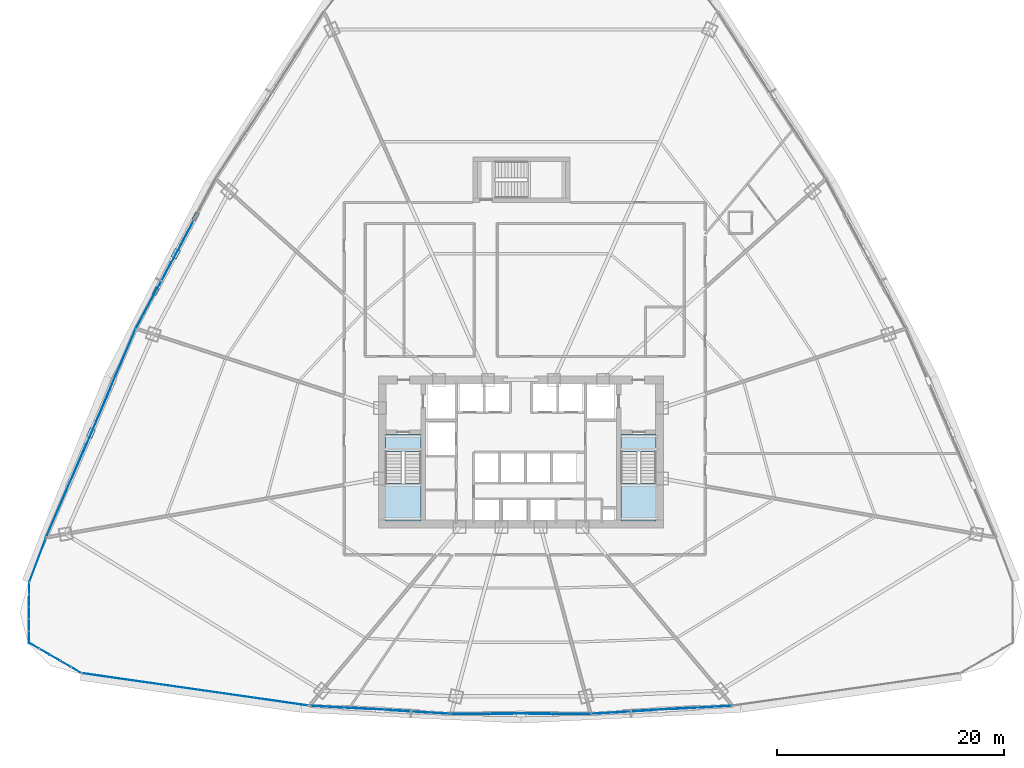
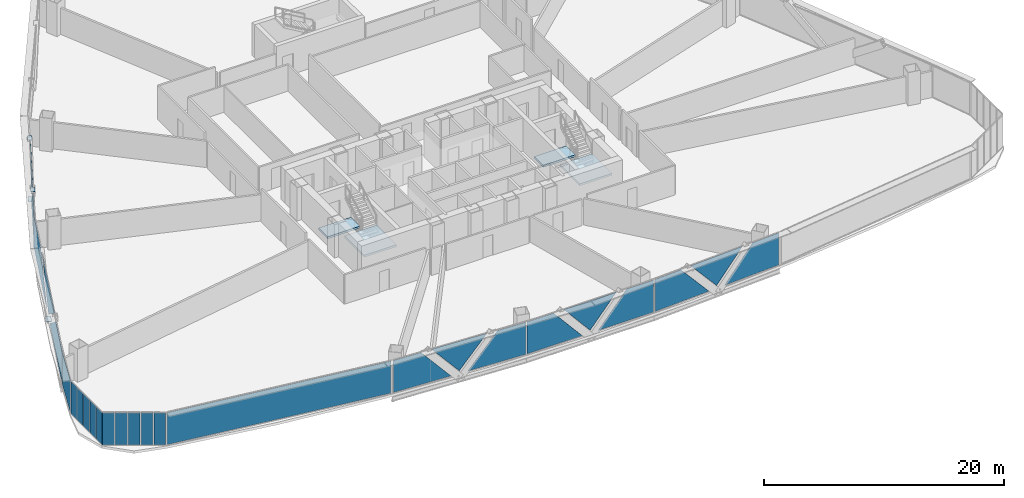
# One storey, part 31 of 42: 30 plates, 4 slabs, 11 elements without a shape of their own.
"""IFC4 building model written with IfcOpenShell, lengths in metres."""

import ifcopenshell
import ifcopenshell.guid

model = None  # the IFC model being written
_history = None  # IfcOwnerHistory: only IFC2X3 demands one
_inside = {}  # id of a spatial element -> (the spatial element, [elements in it])
_under = {}  # id of a project, library or spatial element -> (it, [spatial elements below it])
_declared = {}  # id of a project -> (the project, [libraries it declares])
_typed = {}  # id of a type object -> (the type object, [elements of that type])
_made_of = {}  # id of a material, layer set ... -> (it, [elements and type objects made of it])


def new_model(schema):
    """Start an empty IFC model of exactly this schema.

    Asked for "IFC4X3", IfcOpenShell would pick the latest addendum, in which some entities
    have other attributes; the version numbers below select the first issue.
    IFC2X3 requires an IfcOwnerHistory on every rooted entity: one is made here for all.
    """
    global model, _history
    if schema == "IFC4X3":
        model = ifcopenshell.file(schema_version=(4, 3, 0, 0))
    else:
        model = ifcopenshell.file(schema=schema)
    _inside.clear()
    _under.clear()
    _declared.clear()
    _typed.clear()
    _made_of.clear()
    _history = None
    if model.schema == "IFC2X3":
        org = make("IfcOrganization", Name="unknown")
        user = make(
            "IfcPersonAndOrganization",
            ThePerson=make("IfcPerson", FamilyName="unknown"),
            TheOrganization=org,
        )
        app = make(
            "IfcApplication",
            ApplicationDeveloper=org,
            Version="unknown",
            ApplicationFullName="unknown",
            ApplicationIdentifier="unknown",
        )
        _history = make(
            "IfcOwnerHistory",
            OwningUser=user,
            OwningApplication=app,
            ChangeAction="ADDED",
            CreationDate=0,
        )
    return model


def make(cls, **values):
    """One entity of the class cls with the attributes given. An attribute that is None is left unset."""
    return model.create_entity(
        cls, **{name: value for name, value in values.items() if value is not None}
    )


def rooted(cls, **values):
    """An entity with a GlobalId (a new one), such as an element, a storey or a relation."""
    return make(cls, GlobalId=ifcopenshell.guid.new(), OwnerHistory=_history, **values)


def si_unit(unit_type, name, prefix=None):
    """IfcSIUnit, for example si_unit("LENGTHUNIT", "METRE", prefix="MILLI")."""
    return make("IfcSIUnit", UnitType=unit_type, Prefix=prefix, Name=name)


def assignment(units):
    """IfcUnitAssignment: the units of a project."""
    return None if units is None else make("IfcUnitAssignment", Units=units)


def point(xyz):
    """IfcCartesianPoint."""
    return None if xyz is None else make("IfcCartesianPoint", Coordinates=xyz)


def direction(xyz):
    """IfcDirection."""
    return None if xyz is None else make("IfcDirection", DirectionRatios=xyz)


def frame(location, z_axis=None, x_axis=None):
    """IfcAxis2Placement3D, a coordinate frame: its origin and axes. An axis left out is left unset."""
    return make(
        "IfcAxis2Placement3D",
        Location=point(location),
        Axis=direction(z_axis),
        RefDirection=direction(x_axis),
    )


def frame_2d(location, x_axis=None):
    """IfcAxis2Placement2D, a coordinate frame in the plane: its origin and x axis."""
    return make(
        "IfcAxis2Placement2D", Location=point(location), RefDirection=direction(x_axis)
    )


def origin():
    """The frame at (0, 0, 0) with its axes left unset."""
    return frame((0.0, 0.0, 0.0))


def origin_2d():
    """The frame at (0, 0) in the plane with its x axis left unset."""
    return frame_2d((0.0, 0.0))


def place(relative_to, where):
    """IfcLocalPlacement: puts the frame where relative to a parent placement (None: the world)."""
    return make(
        "IfcLocalPlacement", PlacementRelTo=relative_to, RelativePlacement=where
    )


def context(
    kind, dimensions, precision=None, world=None, true_north=None, identifier=None
):
    """IfcGeometricRepresentationContext, for example the 3D "Model" context."""
    return make(
        "IfcGeometricRepresentationContext",
        ContextIdentifier=identifier,
        ContextType=kind,
        CoordinateSpaceDimension=dimensions,
        Precision=precision,
        WorldCoordinateSystem=world,
        TrueNorth=true_north,
    )


def subcontext(parent, identifier, kind, view, scale=None):
    """IfcGeometricRepresentationSubContext, for example "Body" below "Model"."""
    return make(
        "IfcGeometricRepresentationSubContext",
        ContextIdentifier=identifier,
        ContextType=kind,
        ParentContext=parent,
        TargetScale=scale,
        TargetView=view,
    )


def project(units=None, contexts=None):
    """IfcProject with its units and contexts."""
    return rooted(
        "IfcProject",
        Name="project",
        RepresentationContexts=contexts,
        UnitsInContext=assignment(units),
    )


def spatial(cls, under=None, at=None, **own):
    """A site, building, storey or space (cls), placed at a placement, below another one or the project."""
    s = rooted(cls, ObjectPlacement=at, **own)
    if under is not None:
        _under.setdefault(under.id(), (under, []))[1].append(s)
    return s


def polyline(points):
    """IfcPolyline through the points."""
    return make("IfcPolyline", Points=[point(p) for p in points])


def profile(cls, at=None, kind="AREA", **sizes):
    """A parametric profile (cls). Its sizes go by their IFC names, for example OverallWidth=200.0."""
    return make(cls, ProfileType=kind, Position=at, **sizes)


def rectangle(**sizes):
    """IfcRectangleProfileDef."""
    return profile("IfcRectangleProfileDef", **sizes)


def outline(outer, holes=None, kind="AREA"):
    """IfcArbitraryClosedProfileDef: a profile drawn as a closed curve; with holes, ...WithVoids."""
    if holes is None:
        return make("IfcArbitraryClosedProfileDef", ProfileType=kind, OuterCurve=outer)
    return make(
        "IfcArbitraryProfileDefWithVoids",
        ProfileType=kind,
        OuterCurve=outer,
        InnerCurves=holes,
    )


def extrude(swept, where, along, depth):
    """IfcExtrudedAreaSolid: the profile swept, set in the frame where, extruded along a direction by depth."""
    return make(
        "IfcExtrudedAreaSolid",
        SweptArea=swept,
        Position=where,
        ExtrudedDirection=direction(along),
        Depth=depth,
    )


def shape(context_of_items, identifier, shape_type, items):
    """IfcShapeRepresentation: the items that make up one representation, for example the "Body"."""
    return make(
        "IfcShapeRepresentation",
        ContextOfItems=context_of_items,
        RepresentationIdentifier=identifier,
        RepresentationType=shape_type,
        Items=items,
    )


def source(mapping_origin, context_of_items, identifier, shape_type, items):
    """IfcRepresentationMap: a shape defined once, which mapped items show again and again."""
    return make(
        "IfcRepresentationMap",
        MappingOrigin=mapping_origin,
        MappedRepresentation=shape(context_of_items, identifier, shape_type, items),
    )


def transform(
    local_origin,
    x_axis=None,
    y_axis=None,
    z_axis=None,
    scale=None,
    scale2=None,
    scale3=None,
    uniform=True,
):
    """IfcCartesianTransformationOperator3D, or its non-uniform kind. x_axis, y_axis, z_axis: its Axis1, 2, 3."""
    if uniform:
        return make(
            "IfcCartesianTransformationOperator3D",
            Axis1=direction(x_axis),
            Axis2=direction(y_axis),
            LocalOrigin=point(local_origin),
            Scale=scale,
            Axis3=direction(z_axis),
        )
    return make(
        "IfcCartesianTransformationOperator3DnonUniform",
        Axis1=direction(x_axis),
        Axis2=direction(y_axis),
        LocalOrigin=point(local_origin),
        Scale=scale,
        Axis3=direction(z_axis),
        Scale2=scale2,
        Scale3=scale3,
    )


def mapped(mapping_source, mapping_target):
    """IfcMappedItem: shows the shape of a source again, moved by a transform."""
    return make(
        "IfcMappedItem", MappingSource=mapping_source, MappingTarget=mapping_target
    )


def material(Name=None, Category=None):
    """IfcMaterial."""
    return make("IfcMaterial", Name=Name, Category=Category)


def layer(
    of_material, thickness, ventilated=None, Name=None, Category=None, Priority=None
):
    """IfcMaterialLayer: one layer of a wall or slab, of a material (None: an air gap)."""
    return make(
        "IfcMaterialLayer",
        Material=of_material,
        LayerThickness=thickness,
        IsVentilated=ventilated,
        Name=Name,
        Category=Category,
        Priority=Priority,
    )


def layer_set(layers, Name=None):
    """IfcMaterialLayerSet."""
    return make("IfcMaterialLayerSet", MaterialLayers=layers, LayerSetName=Name)


def made_of(thing, what):
    """Note that an element or type object is made of a material, layer set ...; save() writes the relation."""
    if what is not None:
        _made_of.setdefault(what.id(), (what, []))[1].append(thing)
    return thing


def type_object(cls, material=None, **own):
    """A type object (cls), such as IfcWallType, which elements share."""
    return made_of(rooted(cls, **own), material)


def element(
    cls,
    number,
    at=None,
    inside=None,
    cuts=None,
    type_object=None,
    material=None,
    context=None,
    identifier="Body",
    shape_type=None,
    held_by="IfcProductDefinitionShape",
    body=None,
    shapes=None,
    **own,
):
    """One element of the class cls, such as IfcWall. Its Tag is "e" and its number.

    at: its placement. inside: the storey or other place that contains it. cuts: it is an
    opening in that element (IfcRelVoidsElement). A single representation is given by context,
    identifier, shape_type and body (its items); several are given by shapes. held_by: the class
    of the entity that holds the representations. save() writes the other relations.
    """
    e = rooted(cls, Tag="e%d" % number, ObjectPlacement=at, **own)
    if body is not None:
        shapes = [shape(context, identifier, shape_type, body)]
    if shapes is not None:
        e.Representation = make(held_by, Representations=shapes)
    if inside is not None:
        _inside.setdefault(inside.id(), (inside, []))[1].append(e)
    if cuts is not None:
        rooted(
            "IfcRelVoidsElement", RelatingBuildingElement=cuts, RelatedOpeningElement=e
        )
    if type_object is not None:
        _typed.setdefault(type_object.id(), (type_object, []))[1].append(e)
    return made_of(e, material)


def aggregate(whole, parts):
    """IfcRelAggregates: a whole, such as a stair, and the parts it consists of."""
    return rooted("IfcRelAggregates", RelatingObject=whole, RelatedObjects=parts)


def save(model, path):
    """Write the relations noted so far, then the file.

    IfcRelAggregates (storeys below a building ...), IfcRelContainedInSpatialStructure (elements
    in a storey), IfcRelDefinesByType, IfcRelAssociatesMaterial and IfcRelDeclares: one each for
    every whole, place, type object, material and project.
    """
    for whole, parts in _under.values():
        aggregate(whole, parts)
    for where, things in _inside.values():
        rooted(
            "IfcRelContainedInSpatialStructure",
            RelatedElements=things,
            RelatingStructure=where,
        )
    for kind, things in _typed.values():
        rooted("IfcRelDefinesByType", RelatedObjects=things, RelatingType=kind)
    for what, things in _made_of.values():
        rooted("IfcRelAssociatesMaterial", RelatedObjects=things, RelatingMaterial=what)
    for by, libraries in _declared.values():
        rooted("IfcRelDeclares", RelatingContext=by, RelatedDefinitions=libraries)
    model.write(path)


model = new_model("IFC4")

# Units and contexts
model_context = context("Model", 3, precision=1e-05, world=origin(), true_north=direction((0.0, 1.0)))
body_context = subcontext(model_context, "Body", "Model", "MODEL_VIEW")
ifc_project = project(units=[si_unit("LENGTHUNIT", "METRE"), si_unit("AREAUNIT", "SQUARE_METRE"), si_unit("VOLUMEUNIT", "CUBIC_METRE"), si_unit("PLANEANGLEUNIT", "RADIAN"), si_unit("MASSUNIT", "GRAM", prefix="KILO"), si_unit("THERMODYNAMICTEMPERATUREUNIT", "KELVIN"), si_unit("POWERUNIT", "WATT")], contexts=[model_context])

# Site, building, storey
site_placement = place(None, origin())
site = spatial("IfcSite", under=ifc_project, at=site_placement, CompositionType="ELEMENT")
building_placement = place(site_placement, origin())
building = spatial("IfcBuilding", under=site, at=building_placement, Name="Yunzhuo Pagoda Commons", CompositionType="ELEMENT")
storey_placement = place(building_placement, frame((0.0, 0.0, 41.2900390625)))
storey = spatial("IfcBuildingStorey", under=building, at=storey_placement, Name="L10", CompositionType="ELEMENT", Elevation=41.2900390625)

# Curtain wall, plates
ifc_material_1 = material(Name="Anodized aluminium 6063-T6", Category="aluminium")
ifc_layer_1 = layer(ifc_material_1, 0.1650390625)
ifc_layer_set_1 = layer_set([ifc_layer_1], Name="Anodized aluminium 6063-T6")
curtain_wall_type_1 = type_object("IfcCurtainWallType", Name="CW-LOW Low-Zone Ribbon Curtain Wall", PredefinedType="NOTDEFINED", material=ifc_layer_set_1)
curtain_wall_1_placement = place(storey_placement, origin())
curtain_wall_1 = element("IfcCurtainWall", 1, at=curtain_wall_1_placement, inside=storey, type_object=curtain_wall_type_1, Name="L10 curtain wall CW-L10-F1B2", PredefinedType="NOTDEFINED")
ifc_material_2 = material(Name="Tempered low-e double glazing", Category="glass")
ifc_layer_2 = layer(ifc_material_2, 0.028076171875)
ifc_layer_set_2 = layer_set([ifc_layer_2], Name="Tempered low-e double glazing")
plate_type_1 = type_object("IfcPlateType", Name="CW-LOW-P Low-E Double Glazing 28", PredefinedType="CURTAIN_PANEL", material=ifc_layer_set_2)
plate_1_placement = place(storey_placement, frame((32.162109375, 11.386962890625, 1.68505859375), z_axis=(-0.057790687505, -0.998328721633, 0.0), x_axis=(0.998328721633, -0.057790687505, 0.0)))
plate_1 = element("IfcPlate", 2, at=plate_1_placement, type_object=plate_type_1, Name="CW panel 1.1 lite 1", PredefinedType="CURTAIN_PANEL", context=body_context, shape_type="SweptSolid", body=[
    extrude(outline(polyline([(-2.701416015625, -1.625), (2.701416015625, -1.625), (-0.093994140625, 1.625), (-2.701416015625, 1.625), (-2.701416015625, -1.625)])), origin(), (0.0, 0.0, 1.0), 0.028076171875),
])
plate_2_placement = place(storey_placement, frame((35.6357421875, 11.216064453125, 1.81640625), z_axis=(-0.057790687505, -0.998328721633, 0.0), x_axis=(0.998328721633, -0.057790687505, 0.0)))
plate_2 = element("IfcPlate", 3, at=plate_2_placement, type_object=plate_type_1, Name="CW panel 1.1 lite 2", PredefinedType="CURTAIN_PANEL", context=body_context, shape_type="SweptSolid", body=[
    extrude(outline(polyline([(-2.5693359375, 1.49365234375), (0.0, -1.49365234375), (2.5693359375, 1.49365234375), (-2.5693359375, 1.49365234375)])), origin(), (0.0, 0.0, 1.0), 0.028076171875),
])
plate_3_placement = place(storey_placement, frame((39.10595703125, 10.985107421875, 1.68505859375), z_axis=(-0.057790687505, -0.998328721633, 0.0), x_axis=(0.998328721633, -0.057790687505, 0.0)))
plate_3 = element("IfcPlate", 4, at=plate_3_placement, type_object=plate_type_1, Name="CW panel 1.1 lite 3", PredefinedType="CURTAIN_PANEL", context=body_context, shape_type="SweptSolid", body=[
    extrude(outline(polyline([(-2.701416015625, -1.625), (2.701416015625, -1.625), (2.701416015625, 1.625), (0.093994140625, 1.625), (-2.701416015625, -1.625)])), origin(), (0.0, 0.0, 1.0), 0.028076171875),
])
aggregate(curtain_wall_1, [plate_1, plate_2, plate_3])

curtain_wall_2_placement = place(storey_placement, origin())
curtain_wall_2 = element("IfcCurtainWall", 5, at=curtain_wall_2_placement, inside=storey, type_object=curtain_wall_type_1, Name="L10 curtain wall CW-L10-F1B3", PredefinedType="NOTDEFINED")
plate_4_placement = place(storey_placement, frame((44.58203125, 10.8251953125, 1.68505859375), z_axis=(0.0, -1.0, 0.0), x_axis=(1.0, 0.0, 0.0)))
plate_4 = element("IfcPlate", 6, at=plate_4_placement, type_object=plate_type_1, Name="CW panel 1.1 lite 1", PredefinedType="CURTAIN_PANEL", context=body_context, shape_type="SweptSolid", body=[
    extrude(outline(polyline([(-2.650146484375, -1.625), (2.650146484375, -1.625), (-0.095458984375, 1.625), (-2.650146484375, 1.625), (-2.650146484375, -1.625)])), origin(), (0.0, 0.0, 1.0), 0.028076171875),
])
plate_5_placement = place(storey_placement, frame((48.0, 10.85546875, 1.8193359375), z_axis=(0.0, -1.0, 0.0), x_axis=(1.0, 0.0, 0.0)))
plate_5 = element("IfcPlate", 7, at=plate_5_placement, type_object=plate_type_1, Name="CW panel 1.1 lite 2", PredefinedType="CURTAIN_PANEL", context=body_context, shape_type="SweptSolid", body=[
    extrude(outline(polyline([(-2.518310546875, 1.490478515625), (0.0, -1.490478515625), (2.518310546875, 1.490478515625), (-2.518310546875, 1.490478515625)])), origin(), (0.0, 0.0, 1.0), 0.028076171875),
])
plate_6_placement = place(storey_placement, frame((51.41796875, 10.8251953125, 1.68505859375), z_axis=(0.0, -1.0, 0.0), x_axis=(1.0, 0.0, 0.0)))
plate_6 = element("IfcPlate", 8, at=plate_6_placement, type_object=plate_type_1, Name="CW panel 1.1 lite 3", PredefinedType="CURTAIN_PANEL", context=body_context, shape_type="SweptSolid", body=[
    extrude(outline(polyline([(-2.650146484375, -1.625), (2.650146484375, -1.625), (2.650146484375, 1.625), (0.095458984375, 1.625), (-2.650146484375, -1.625)])), origin(), (0.0, 0.0, 1.0), 0.028076171875),
])
aggregate(curtain_wall_2, [plate_4, plate_5, plate_6])

curtain_wall_3_placement = place(storey_placement, origin())
curtain_wall_3 = element("IfcCurtainWall", 9, at=curtain_wall_3_placement, inside=storey, type_object=curtain_wall_type_1, Name="L10 curtain wall CW-L10-F1B4", PredefinedType="NOTDEFINED")
plate_7_placement = place(storey_placement, frame((56.89404296875, 10.985107421875, 1.68505859375), z_axis=(0.057790687505, -0.998328721633, 0.0), x_axis=(0.998328721633, 0.057790687505, 0.0)))
plate_7 = element("IfcPlate", 10, at=plate_7_placement, type_object=plate_type_1, Name="CW panel 1.1 lite 1", PredefinedType="CURTAIN_PANEL", context=body_context, shape_type="SweptSolid", body=[
    extrude(outline(polyline([(-2.701416015625, -1.625), (2.701416015625, -1.625), (-0.093994140625, 1.625), (-2.701416015625, 1.625), (-2.701416015625, -1.625)])), origin(), (0.0, 0.0, 1.0), 0.028076171875),
])
plate_8_placement = place(storey_placement, frame((60.3642578125, 11.216064453125, 1.81640625), z_axis=(0.057790687505, -0.998328721633, 0.0), x_axis=(0.998328721633, 0.057790687505, 0.0)))
plate_8 = element("IfcPlate", 11, at=plate_8_placement, type_object=plate_type_1, Name="CW panel 1.1 lite 2", PredefinedType="CURTAIN_PANEL", context=body_context, shape_type="SweptSolid", body=[
    extrude(outline(polyline([(-2.5693359375, 1.49365234375), (0.0, -1.49365234375), (2.5693359375, 1.49365234375), (-2.5693359375, 1.49365234375)])), origin(), (0.0, 0.0, 1.0), 0.028076171875),
])
plate_9_placement = place(storey_placement, frame((63.837890625, 11.386962890625, 1.68505859375), z_axis=(0.057790687505, -0.998328721633, 0.0), x_axis=(0.998328721633, 0.057790687505, 0.0)))
plate_9 = element("IfcPlate", 12, at=plate_9_placement, type_object=plate_type_1, Name="CW panel 1.1 lite 3", PredefinedType="CURTAIN_PANEL", context=body_context, shape_type="SweptSolid", body=[
    extrude(outline(polyline([(-2.701416015625, -1.625), (2.701416015625, -1.625), (2.701416015625, 1.625), (0.093994140625, 1.625), (-2.701416015625, -1.625)])), origin(), (0.0, 0.0, 1.0), 0.028076171875),
])
aggregate(curtain_wall_3, [plate_7, plate_8, plate_9])

curtain_wall_4_placement = place(storey_placement, origin())
curtain_wall_4 = element("IfcCurtainWall", 13, at=curtain_wall_4_placement, inside=storey, type_object=curtain_wall_type_1, Name="L10 curtain wall CW-L10-F3B3", PredefinedType="NOTDEFINED")
plate_10_placement = place(storey_placement, frame((17.679443359375, 51.268798828125, 1.7900390625), z_axis=(-0.88230916381, 0.470670308662, 0.0), x_axis=(-0.470670308662, -0.88230916381, 0.0)))
plate_10 = element("IfcPlate", 14, at=plate_10_placement, type_object=plate_type_1, Name="CW panel 1.1 lite 2", PredefinedType="CURTAIN_PANEL", context=body_context, shape_type="SweptSolid", body=[
    extrude(outline(polyline([(-3.12451171875, 1.52001953125), (0.0, -1.52001953125), (3.12451171875, 1.52001953125), (-3.12451171875, 1.52001953125)])), origin(), (0.0, 0.0, 1.0), 0.028076171875),
])
plate_11_placement = place(storey_placement, frame((15.70654296875, 47.63427734375, 1.68505859375), z_axis=(-0.88230916381, 0.470670308662, 0.0), x_axis=(-0.470670308662, -0.88230916381, 0.0)))
plate_11 = element("IfcPlate", 15, at=plate_11_placement, type_object=plate_type_1, Name="CW panel 1.1 lite 3", PredefinedType="CURTAIN_PANEL", context=body_context, shape_type="SweptSolid", body=[
    extrude(outline(polyline([(-3.26171875, -1.625), (3.26171875, -1.625), (3.26171875, 1.625), (0.0791015625, 1.625), (-3.26171875, -1.625)])), origin(), (0.0, 0.0, 1.0), 0.028076171875),
])
aggregate(curtain_wall_4, [plate_10, plate_11])

curtain_wall_5_placement = place(storey_placement, origin())
curtain_wall_5 = element("IfcCurtainWall", 16, at=curtain_wall_5_placement, inside=storey, type_object=curtain_wall_type_1, Name="L10 curtain wall CW-L10-F3B4", PredefinedType="NOTDEFINED")
plate_12_placement = place(storey_placement, frame((12.370849609375, 40.577392578125, 1.68505859375), z_axis=(-0.918865619656, 0.394570618538, 0.0), x_axis=(-0.394570618538, -0.918865619656, 0.0)))
plate_12 = element("IfcPlate", 17, at=plate_12_placement, type_object=plate_type_1, Name="CW panel 1.1 lite 1", PredefinedType="CURTAIN_PANEL", context=body_context, shape_type="SweptSolid", body=[
    extrude(outline(polyline([(-4.421630859375, -1.625), (4.421630859375, -1.625), (-0.052978515625, 1.625), (-4.421630859375, 1.625), (-4.421630859375, -1.625)])), origin(), (0.0, 0.0, 1.0), 0.028076171875),
])
plate_13_placement = place(storey_placement, frame((10.224853515625, 35.503662109375, 1.759765625), z_axis=(-0.918865619656, 0.394570618538, 0.0), x_axis=(-0.394570618538, -0.918865619656, 0.0)))
plate_13 = element("IfcPlate", 18, at=plate_13_placement, type_object=plate_type_1, Name="CW panel 1.1 lite 2", PredefinedType="CURTAIN_PANEL", context=body_context, shape_type="SweptSolid", body=[
    extrude(outline(polyline([(-4.2685546875, 1.55029296875), (0.0, -1.55029296875), (4.2685546875, 1.55029296875), (-4.2685546875, 1.55029296875)])), origin(), (0.0, 0.0, 1.0), 0.028076171875),
])
plate_14_placement = place(storey_placement, frame((8.023681640625, 30.45361328125, 1.68505859375), z_axis=(-0.918865619656, 0.394570618538, 0.0), x_axis=(-0.394570618538, -0.918865619656, 0.0)))
plate_14 = element("IfcPlate", 19, at=plate_14_placement, type_object=plate_type_1, Name="CW panel 1.1 lite 3", PredefinedType="CURTAIN_PANEL", context=body_context, shape_type="SweptSolid", body=[
    extrude(outline(polyline([(-4.421630859375, -1.625), (4.421630859375, -1.625), (4.421630859375, 1.625), (0.052978515625, 1.625), (-4.421630859375, -1.625)])), origin(), (0.0, 0.0, 1.0), 0.028076171875),
])
aggregate(curtain_wall_5, [plate_12, plate_13, plate_14])

# Stair, slabs
ifc_material_3 = material(Name="Concrete C40", Category="concrete")
stair_type_1 = type_object("IfcStairType", Name="ST-C1 Core Smokeproof Stair ST1", PredefinedType="HALF_TURN_STAIR", material=ifc_material_3)
stair_1_placement = place(storey_placement, origin())
stair_1 = element("IfcStair", 20, at=stair_1_placement, inside=storey, type_object=stair_type_1, Name="L10 Core smokeproof stair ST1", PredefinedType="HALF_TURN_STAIR")
ifc_layer_3 = layer(ifc_material_3, 0.199951171875)
ifc_layer_set_3 = layer_set([ifc_layer_3], Name="Concrete C40")
slab_type_1 = type_object("IfcSlabType", Name="SL-LND1 Stair Landing Slab 200", PredefinedType="LANDING", material=ifc_layer_set_3)
slab_1_placement = place(storey_placement, frame((0.0, 0.0, 1.614990234375)))
slab_1 = element("IfcSlab", 21, at=slab_1_placement, type_object=slab_type_1, Name="ST1 landing 1", PredefinedType="LANDING", context=body_context, shape_type="SweptSolid", body=[
    extrude(outline(polyline([(36.10009765625, 31.10009765625), (36.10009765625, 27.800048828125), (39.199951171875, 27.800048828125), (39.199951171875, 31.10009765625), (36.10009765625, 31.10009765625)])), origin(), (0.0, 0.0, 1.0), 0.199951171875),
])
slab_2_placement = place(storey_placement, frame((0.0, 0.0, -0.199951171875)))
slab_2 = element("IfcSlab", 22, at=slab_2_placement, type_object=slab_type_1, Name="ST1 floor landing L10", PredefinedType="LANDING", context=body_context, shape_type="SweptSolid", body=[
    extrude(outline(polyline([(36.10009765625, 35.39990234375), (36.10009765625, 33.89990234375), (39.199951171875, 33.89990234375), (39.199951171875, 35.39990234375), (36.10009765625, 35.39990234375)])), origin(), (0.0, 0.0, 1.0), 0.199951171875),
])
aggregate(stair_1, [slab_1, slab_2])

stair_type_2 = type_object("IfcStairType", Name="ST-C2 Core Smokeproof Stair ST2", PredefinedType="HALF_TURN_STAIR", material=ifc_material_3)
stair_2_placement = place(storey_placement, origin())
stair_2 = element("IfcStair", 23, at=stair_2_placement, inside=storey, type_object=stair_type_2, Name="L10 Core smokeproof stair ST2", PredefinedType="HALF_TURN_STAIR")
ifc_layer_4 = layer(ifc_material_3, 0.201904296875)
ifc_layer_set_4 = layer_set([ifc_layer_4], Name="Concrete C40")
slab_type_2 = type_object("IfcSlabType", Name="SL-LND2 Stair Landing Slab 202", PredefinedType="LANDING", material=ifc_layer_set_4)
slab_3_placement = place(storey_placement, frame((0.0, 0.0, 1.614990234375)))
slab_3 = element("IfcSlab", 24, at=slab_3_placement, type_object=slab_type_2, Name="ST2 landing 1", PredefinedType="LANDING", context=body_context, shape_type="SweptSolid", body=[
    extrude(outline(polyline([(56.800048828125, 31.10009765625), (56.800048828125, 27.800048828125), (59.89990234375, 27.800048828125), (59.89990234375, 31.10009765625), (56.800048828125, 31.10009765625)])), origin(), (0.0, 0.0, 1.0), 0.199951171875),
])
slab_4_placement = place(storey_placement, frame((0.0, 0.0, -0.199951171875)))
slab_4 = element("IfcSlab", 25, at=slab_4_placement, type_object=slab_type_2, Name="ST2 floor landing L10", PredefinedType="LANDING", context=body_context, shape_type="SweptSolid", body=[
    extrude(outline(polyline([(56.800048828125, 35.39990234375), (56.800048828125, 33.89990234375), (59.89990234375, 33.89990234375), (59.89990234375, 35.39990234375), (56.800048828125, 35.39990234375)])), origin(), (0.0, 0.0, 1.0), 0.199951171875),
])
aggregate(stair_2, [slab_3, slab_4])

# Plates
ifc_material_4 = material(Name="Structural steel Q355B", Category="steel")
ifc_layer_5 = layer(ifc_material_4, 0.028076171875)
ifc_layer_set_5 = layer_set([ifc_layer_5], Name="Structural steel Q355B")
plate_type_2 = type_object("IfcPlateType", Name="SP-ND1 Lattice Node Cap Plate 800x500x28", PredefinedType="USERDEFINED", material=ifc_layer_set_5)
shared_shape_1 = source(origin(), body_context, "Body", "SweptSolid", [
    extrude(rectangle(XDim=0.800048828125, YDim=0.5, at=origin_2d()), origin(), (0.0, 0.0, 1.0), 0.028076171875),
])
for number, where, z_axis, x_axis, name in (
    (26, (17.640380859375, 51.28955078125, -0.27392578125), (0.0, 0.0, 1.0), (-0.470673134105, -0.882307656564, 0.0), "L10 diamond node plate F3.2A"),
    (27, (10.184326171875, 35.52099609375, -0.27392578125), (0.0, 0.0, 1.0), (-0.394567453861, -0.918866978596, 0.0), "L10 diamond node plate F3.3A"),
):
    element("IfcPlate", number, at=place(storey_placement, frame(where, z_axis=z_axis, x_axis=x_axis)), inside=storey, type_object=plate_type_2, Name=name, ObjectType="STIFFENER_PLATE", PredefinedType="USERDEFINED", context=body_context, shape_type="MappedRepresentation", body=[
        mapped(shared_shape_1, transform((0.0, 0.0, 0.0), scale=1.0)),
    ])
shared_shape_2 = source(origin(), body_context, "Body", "SweptSolid", [
    extrude(rectangle(XDim=0.699951171875, YDim=0.35009765625, at=origin_2d()), origin(), (0.0, 0.0, 1.0), 0.035888671875),
])
for number, where, z_axis, x_axis, name in (
    (28, (19.396484375, 54.581298828125, 3.33203125), (0.0, 0.0, 1.0), (-0.470673134105, -0.882307656564, 0.0), "L10 setback lattice tie plate F3.2L"),
    (29, (15.884521484375, 47.99755859375, 3.33203125), (0.0, 0.0, 1.0), (-0.470673134105, -0.882307656564, 0.0), "L10 setback lattice tie plate F3.2R"),
):
    element("IfcPlate", number, at=place(storey_placement, frame(where, z_axis=z_axis, x_axis=x_axis)), inside=storey, type_object=plate_type_2, Name=name, ObjectType="STIFFENER_PLATE", PredefinedType="USERDEFINED", context=body_context, shape_type="MappedRepresentation", body=[
        mapped(shared_shape_2, transform((0.0, 0.0, 0.0), scale=1.0)),
    ])

# Curtain wall, plate
curtain_wall_6_placement = place(storey_placement, origin())
curtain_wall_6 = element("IfcCurtainWall", 30, at=curtain_wall_6_placement, inside=storey, type_object=curtain_wall_type_1, Name="L10 curtain wall CW-L10-F1B1", PredefinedType="NOTDEFINED")
shared_shape_3 = source(origin(), body_context, "Body", "SweptSolid", [
    extrude(rectangle(XDim=20.06689453125, YDim=0.028076171875, at=origin_2d()), origin(), (0.0, 0.0, 1.0), 3.25),
])
plate_15_placement = place(storey_placement, frame((19.32861328125, 12.972412109375, 0.06005859375), z_axis=(0.0, 0.0, 1.0), x_axis=(0.989939291447, -0.141492753346, 0.0)))
plate_15 = element("IfcPlate", 31, at=plate_15_placement, type_object=plate_type_1, Name="CW panel 1.1", PredefinedType="CURTAIN_PANEL", context=body_context, shape_type="MappedRepresentation", body=[
    mapped(shared_shape_3, transform((0.0, 0.0, 0.0), scale=1.0)),
])
aggregate(curtain_wall_6, [plate_15])

curtain_wall_7_placement = place(storey_placement, origin())
curtain_wall_7 = element("IfcCurtainWall", 32, at=curtain_wall_7_placement, inside=storey, type_object=curtain_wall_type_1, Name="L10 curtain wall CW-L10-F3B5", PredefinedType="NOTDEFINED")
shared_shape_4 = source(origin(), body_context, "Body", "SweptSolid", [
    extrude(rectangle(XDim=4.019775390625, YDim=0.028076171875, at=origin_2d()), origin(), (0.0, 0.0, 1.0), 3.25),
])
plate_16_placement = place(storey_placement, frame((5.481201171875, 24.3251953125, 0.06005859375), z_axis=(0.0, 0.0, 1.0), x_axis=(-0.353150780113, -0.935566420146, 0.0)))
plate_16 = element("IfcPlate", 33, at=plate_16_placement, type_object=plate_type_1, Name="CW panel 1.1", PredefinedType="CURTAIN_PANEL", context=body_context, shape_type="MappedRepresentation", body=[
    mapped(shared_shape_4, transform((0.0, 0.0, 0.0), scale=1.0)),
])
aggregate(curtain_wall_7, [plate_16])

# Curtain wall, plates
ifc_layer_6 = layer(ifc_material_1, 0.1298828125)
ifc_layer_set_6 = layer_set([ifc_layer_6], Name="Anodized aluminium 6063-T6")
curtain_wall_type_2 = type_object("IfcCurtainWallType", Name="CW-VTX Rounded Corner Curtain Wall", PredefinedType="NOTDEFINED", material=ifc_layer_set_6)
curtain_wall_8_placement = place(storey_placement, origin())
curtain_wall_8 = element("IfcCurtainWall", 34, at=curtain_wall_8_placement, inside=storey, type_object=curtain_wall_type_2, Name="L10 curtain wall CW-L10-VTX1S1", PredefinedType="NOTDEFINED")
ifc_layer_7 = layer(ifc_material_2, 0.02587890625)
ifc_layer_set_7 = layer_set([ifc_layer_7], Name="Tempered low-e double glazing")
plate_type_3 = type_object("IfcPlateType", Name="CW-VTX-P Low-E Double Glazing 26", PredefinedType="CURTAIN_PANEL", material=ifc_layer_set_7)
shared_shape_5 = source(origin(), body_context, "Body", "SweptSolid", [
    extrude(rectangle(XDim=0.990478515625, YDim=0.028076171875, at=origin_2d()), origin(), (0.0, 0.0, 1.0), 3.260009765625),
])
plate_17_placement = place(storey_placement, frame((4.74658203125, 21.833984375, 0.05517578125), z_axis=(0.0, 0.0, 1.0), x_axis=(-0.003579061808, -0.999993595138, 0.0)))
plate_17 = element("IfcPlate", 35, at=plate_17_placement, type_object=plate_type_3, Name="CW panel 1.1", PredefinedType="CURTAIN_PANEL", context=body_context, shape_type="MappedRepresentation", body=[
    mapped(shared_shape_5, transform((0.0, 0.0, 0.0), scale=1.0)),
])
plate_18_placement = place(storey_placement, frame((4.731201171875, 17.56982421875, 0.05517578125), z_axis=(0.0, 0.0, 1.0), x_axis=(-0.003579061808, -0.999993595138, 0.0)))
plate_18 = element("IfcPlate", 36, at=plate_18_placement, type_object=plate_type_3, Name="CW panel 5.1", PredefinedType="CURTAIN_PANEL", context=body_context, shape_type="MappedRepresentation", body=[
    mapped(shared_shape_5, transform((0.0, 0.0, 0.0), scale=1.0)),
])

curtain_wall_9_placement = place(storey_placement, origin())
curtain_wall_9 = element("IfcCurtainWall", 37, at=curtain_wall_9_placement, inside=storey, type_object=curtain_wall_type_2, Name="L10 curtain wall CW-L10-VTX1S2", PredefinedType="NOTDEFINED")
plate_19_placement = place(storey_placement, frame((5.16552734375, 16.8134765625, 0.05517578125), z_axis=(0.0, 0.0, 1.0), x_axis=(0.865423307498, -0.501041414295, 0.0)))
plate_19 = element("IfcPlate", 38, at=plate_19_placement, type_object=plate_type_3, Name="CW panel 1.1", PredefinedType="CURTAIN_PANEL", context=body_context, shape_type="MappedRepresentation", body=[
    mapped(shared_shape_5, transform((0.0, 0.0, 0.0), scale=1.0)),
])
plate_20_placement = place(storey_placement, frame((8.855712890625, 14.677001953125, 0.05517578125), z_axis=(0.0, 0.0, 1.0), x_axis=(0.865423307498, -0.501041414295, 0.0)))
plate_20 = element("IfcPlate", 39, at=plate_20_placement, type_object=plate_type_3, Name="CW panel 5.1", PredefinedType="CURTAIN_PANEL", context=body_context, shape_type="MappedRepresentation", body=[
    mapped(shared_shape_5, transform((0.0, 0.0, 0.0), scale=1.0)),
])

# Plate
shared_shape_6 = source(origin(), body_context, "Body", "SweptSolid", [
    extrude(rectangle(XDim=1.017822265625, YDim=0.028076171875, at=origin_2d()), origin(), (0.0, 0.0, 1.0), 3.260009765625),
])
plate_21_placement = place(storey_placement, frame((4.74267578125, 20.774658203125, 0.05517578125), z_axis=(0.0, 0.0, 1.0), x_axis=(-0.003579061808, -0.999993595138, 0.0)))
plate_21 = element("IfcPlate", 40, at=plate_21_placement, type_object=plate_type_3, Name="CW panel 2.1", PredefinedType="CURTAIN_PANEL", context=body_context, shape_type="MappedRepresentation", body=[
    mapped(shared_shape_6, transform((0.0, 0.0, 0.0), scale=1.0)),
])

plate_22_placement = place(storey_placement, frame((4.739013671875, 19.701904296875, 0.05517578125), z_axis=(0.0, 0.0, 1.0), x_axis=(-0.003579061808, -0.999993595138, 0.0)))
plate_22 = element("IfcPlate", 41, at=plate_22_placement, type_object=plate_type_3, Name="CW panel 3.1", PredefinedType="CURTAIN_PANEL", context=body_context, shape_type="MappedRepresentation", body=[
    mapped(shared_shape_6, transform((0.0, 0.0, 0.0), scale=1.0)),
])

plate_23_placement = place(storey_placement, frame((4.735107421875, 18.62890625, 0.05517578125), z_axis=(0.0, 0.0, 1.0), x_axis=(-0.003579061808, -0.999993595138, 0.0)))
plate_23 = element("IfcPlate", 42, at=plate_23_placement, type_object=plate_type_3, Name="CW panel 4.1", PredefinedType="CURTAIN_PANEL", context=body_context, shape_type="MappedRepresentation", body=[
    mapped(shared_shape_6, transform((0.0, 0.0, 0.0), scale=1.0)),
])

aggregate(curtain_wall_8, [plate_17, plate_21, plate_22, plate_23, plate_18])

plate_24_placement = place(storey_placement, frame((6.08203125, 16.28271484375, 0.05517578125), z_axis=(0.0, 0.0, 1.0), x_axis=(0.865423307498, -0.501041414295, 0.0)))
plate_24 = element("IfcPlate", 43, at=plate_24_placement, type_object=plate_type_3, Name="CW panel 2.1", PredefinedType="CURTAIN_PANEL", context=body_context, shape_type="MappedRepresentation", body=[
    mapped(shared_shape_6, transform((0.0, 0.0, 0.0), scale=1.0)),
])

plate_25_placement = place(storey_placement, frame((7.0107421875, 15.7451171875, 0.05517578125), z_axis=(0.0, 0.0, 1.0), x_axis=(0.865423307498, -0.501041414295, 0.0)))
plate_25 = element("IfcPlate", 44, at=plate_25_placement, type_object=plate_type_3, Name="CW panel 3.1", PredefinedType="CURTAIN_PANEL", context=body_context, shape_type="MappedRepresentation", body=[
    mapped(shared_shape_6, transform((0.0, 0.0, 0.0), scale=1.0)),
])

plate_26_placement = place(storey_placement, frame((7.939208984375, 15.20751953125, 0.05517578125), z_axis=(0.0, 0.0, 1.0), x_axis=(0.865423307498, -0.501041414295, 0.0)))
plate_26 = element("IfcPlate", 45, at=plate_26_placement, type_object=plate_type_3, Name="CW panel 4.1", PredefinedType="CURTAIN_PANEL", context=body_context, shape_type="MappedRepresentation", body=[
    mapped(shared_shape_6, transform((0.0, 0.0, 0.0), scale=1.0)),
])

aggregate(curtain_wall_9, [plate_19, plate_24, plate_25, plate_26, plate_20])

save(model, "model.ifc")
